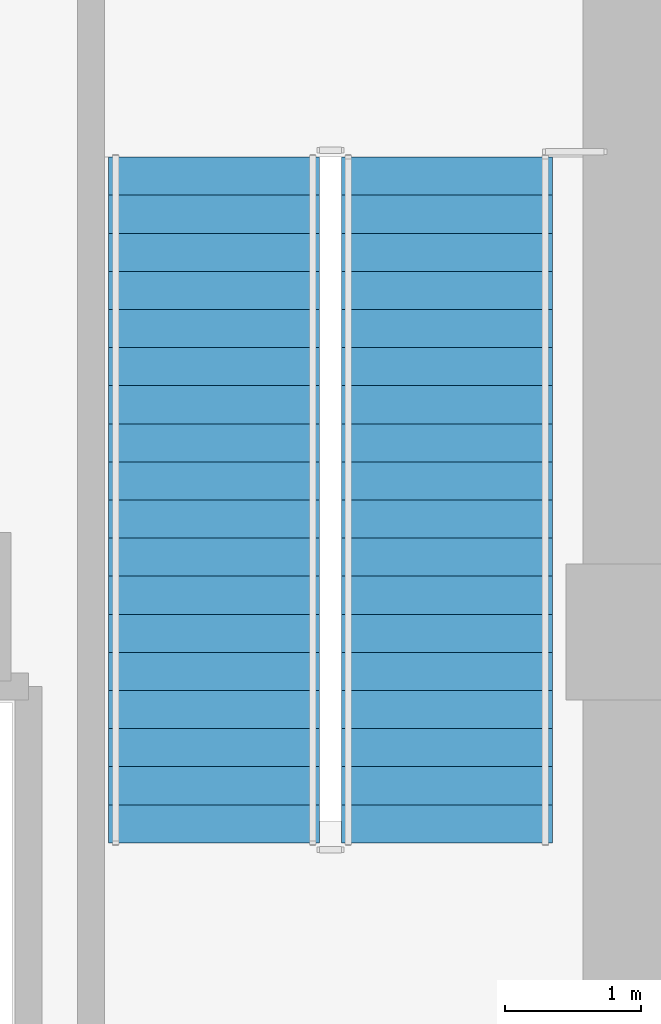
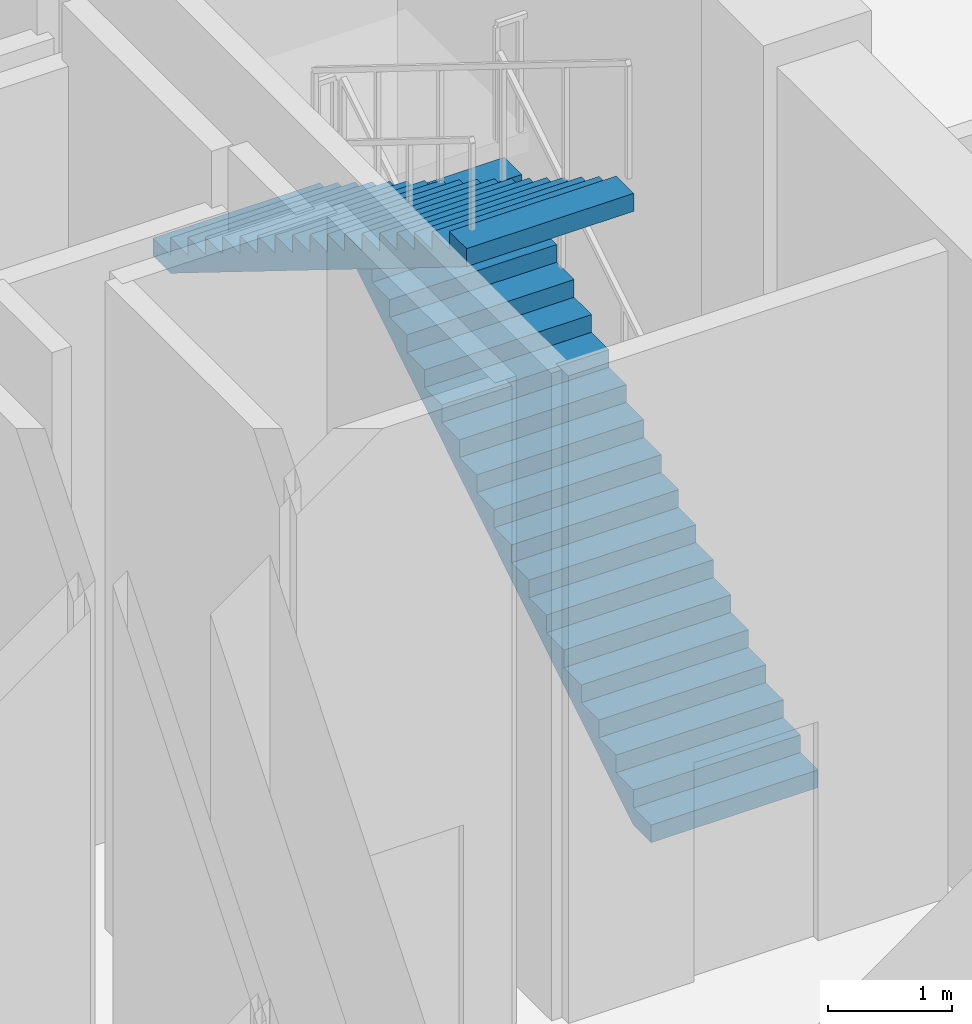
# One storey, part 10 of 15: 2 stair flights, 1 element without a shape of its own.
"""IFC4 building model written with IfcOpenShell, lengths in metres."""

from ifc_helpers import new_model, si_unit, direction, frame, origin, place, context, subcontext, project, spatial, polyline, outline, extrude, material, type_object, element, aggregate, save


model = new_model("IFC4")

# Units and contexts
model_context = context("Model", 3, precision=1e-05, world=origin(), true_north=direction((0.0, 1.0)))
body_context = subcontext(model_context, "Body", "Model", "MODEL_VIEW")
ifc_project = project(units=[si_unit("LENGTHUNIT", "METRE"), si_unit("AREAUNIT", "SQUARE_METRE"), si_unit("VOLUMEUNIT", "CUBIC_METRE"), si_unit("PLANEANGLEUNIT", "RADIAN"), si_unit("MASSUNIT", "GRAM", prefix="KILO")], contexts=[model_context])

# Site, building, storey
site_placement = place(None, origin())
site = spatial("IfcSite", under=ifc_project, at=site_placement, CompositionType="ELEMENT")
building_placement = place(site_placement, origin())
building = spatial("IfcBuilding", under=site, at=building_placement, Name="Zarnakvel Exchange Tower", CompositionType="ELEMENT")
storey_placement = place(building_placement, frame((0.0, 0.0, 80.199951171875)))
storey = spatial("IfcBuildingStorey", under=building, at=storey_placement, Name="L22", CompositionType="ELEMENT", Elevation=80.199951171875)

# Stair, stair flights
ifc_material = material(Name="Concrete C40/50", Category="concrete")
stair_type = type_object("IfcStairType", Name="STR-01", PredefinedType="HALF_TURN_STAIR", material=ifc_material)
stair_placement = place(storey_placement, origin())
stair = element("IfcStair", 1, at=stair_placement, inside=storey, type_object=stair_type, Name="L22 Protected Core Exit Stair ST-02", PredefinedType="HALF_TURN_STAIR")
stair_flight_type = type_object("IfcStairFlightType", Name="FLT-01", PredefinedType="STRAIGHT", material=ifc_material)
stair_flight_1_placement = place(storey_placement, frame((13.02490234375, 5.050048828125, 0.0), z_axis=(0.0, 0.0, 1.0), x_axis=(0.0, 1.0, 0.0)))
stair_flight_1 = element("IfcStairFlight", 2, at=stair_flight_1_placement, type_object=stair_flight_type, Name="ST-02 flight 1", NumberOfRisers=19, NumberOfTreads=18, PredefinedType="STRAIGHT", RiserHeight=0.173684211, TreadLength=0.28, context=body_context, shape_type="SweptSolid", body=[
    extrude(outline(polyline([(0.0, 0.0), (0.0, 0.173583984375), (0.280029296875, 0.173583984375), (0.280029296875, 0.347412109375), (0.56005859375, 0.347412109375), (0.56005859375, 0.52099609375), (0.840087890625, 0.52099609375), (0.840087890625, 0.69482421875), (1.1201171875, 0.69482421875), (1.1201171875, 0.868408203125), (1.39990234375, 0.868408203125), (1.39990234375, 1.0419921875), (1.679931640625, 1.0419921875), (1.679931640625, 1.2158203125), (1.9599609375, 1.2158203125), (1.9599609375, 1.389404296875), (2.239990234375, 1.389404296875), (2.239990234375, 1.563232421875), (2.52001953125, 1.563232421875), (2.52001953125, 1.73681640625), (2.800048828125, 1.73681640625), (2.800048828125, 1.91064453125), (3.080078125, 1.91064453125), (3.080078125, 2.084228515625), (3.360107421875, 2.084228515625), (3.360107421875, 2.2578125), (3.639892578125, 2.2578125), (3.639892578125, 2.431640625), (3.919921875, 2.431640625), (3.919921875, 2.605224609375), (4.199951171875, 2.605224609375), (4.199951171875, 2.779052734375), (4.47998046875, 2.779052734375), (4.47998046875, 2.95263671875), (4.760009765625, 2.95263671875), (4.760009765625, 3.126220703125), (5.0400390625, 3.126220703125), (5.0400390625, 3.300048828125), (5.0400390625, 2.949951171875), (0.284423828125, 0.0), (0.0, 0.0)])), frame((0.0, 0.77490234375, 0.0), z_axis=(0.0, -1.0, 0.0), x_axis=(1.0, 0.0, 0.0)), (0.0, 0.0, 1.0), 1.550048828125),
])
stair_flight_2_placement = place(storey_placement, frame((11.31494140625, 10.090087890625, 3.300048828125), z_axis=(0.0, 0.0, 1.0), x_axis=(0.0, -1.0, 0.0)))
stair_flight_2 = element("IfcStairFlight", 3, at=stair_flight_2_placement, type_object=stair_flight_type, Name="ST-02 flight 2", NumberOfRisers=19, NumberOfTreads=18, PredefinedType="STRAIGHT", RiserHeight=0.173684211, TreadLength=0.28, context=body_context, shape_type="SweptSolid", body=[
    extrude(outline(polyline([(0.0, 0.0), (0.0, 0.173583984375), (0.280029296875, 0.173583984375), (0.280029296875, 0.347412109375), (0.56005859375, 0.347412109375), (0.56005859375, 0.52099609375), (0.840087890625, 0.52099609375), (0.840087890625, 0.69482421875), (1.1201171875, 0.69482421875), (1.1201171875, 0.868408203125), (1.39990234375, 0.868408203125), (1.39990234375, 1.0419921875), (1.679931640625, 1.0419921875), (1.679931640625, 1.2158203125), (1.9599609375, 1.2158203125), (1.9599609375, 1.389404296875), (2.239990234375, 1.389404296875), (2.239990234375, 1.563232421875), (2.52001953125, 1.563232421875), (2.52001953125, 1.73681640625), (2.800048828125, 1.73681640625), (2.800048828125, 1.91064453125), (3.080078125, 1.91064453125), (3.080078125, 2.084228515625), (3.360107421875, 2.084228515625), (3.360107421875, 2.2578125), (3.639892578125, 2.2578125), (3.639892578125, 2.431640625), (3.919921875, 2.431640625), (3.919921875, 2.605224609375), (4.199951171875, 2.605224609375), (4.199951171875, 2.779052734375), (4.47998046875, 2.779052734375), (4.47998046875, 2.95263671875), (4.760009765625, 2.95263671875), (4.760009765625, 3.126220703125), (5.0400390625, 3.126220703125), (5.0400390625, 3.300048828125), (5.0400390625, 2.949951171875), (0.284423828125, 0.0), (0.0, 0.0)])), frame((0.0, 0.77490234375, 0.0), z_axis=(0.0, -1.0, 0.0), x_axis=(1.0, 0.0, 0.0)), (0.0, 0.0, 1.0), 1.550048828125),
])
aggregate(stair, [stair_flight_1, stair_flight_2])

save(model, "model.ifc")
